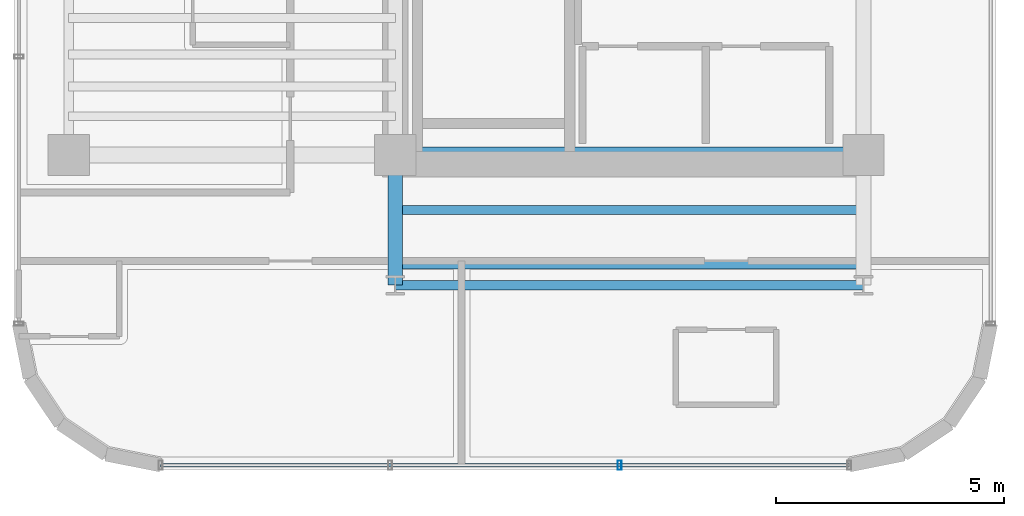
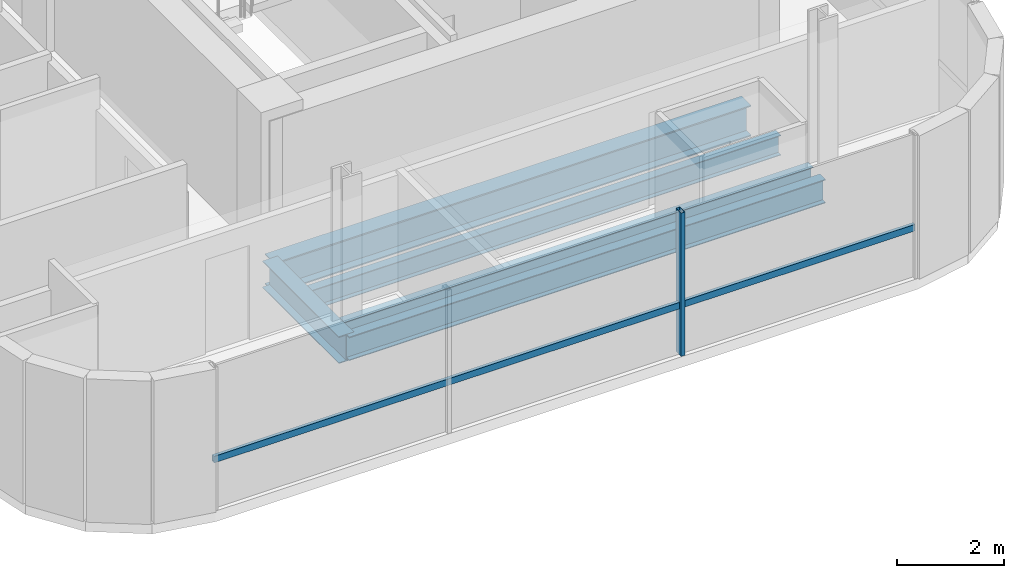
# One storey, part 3 of 22: 5 beams, 2 members, 1 element without a shape of its own.
"""IFC4 building model written with IfcOpenShell, lengths in metres."""

from ifc_helpers import new_model, si_unit, direction, frame, origin, origin_2d, place, context, subcontext, project, spatial, hollow_rectangle, i_section, extrude, source, transform, mapped, material, material_profile, profile_set, type_object, element, aggregate, save


model = new_model("IFC4")

# Units and contexts
model_context = context("Model", 3, precision=1e-05, world=origin(), true_north=direction((0.0, 1.0)))
body_context = subcontext(model_context, "Body", "Model", "MODEL_VIEW")
ifc_project = project(units=[si_unit("LENGTHUNIT", "METRE"), si_unit("AREAUNIT", "SQUARE_METRE"), si_unit("VOLUMEUNIT", "CUBIC_METRE"), si_unit("PLANEANGLEUNIT", "RADIAN"), si_unit("MASSUNIT", "GRAM", prefix="KILO")], contexts=[model_context])

# Site, building, storey
site_placement = place(None, origin())
site = spatial("IfcSite", under=ifc_project, at=site_placement, CompositionType="ELEMENT")
building_placement = place(site_placement, origin())
building = spatial("IfcBuilding", under=site, at=building_placement, Name="Valdorenza Pilgrim Sanctuary Tower", CompositionType="ELEMENT")
storey_placement = place(building_placement, frame((0.0, 0.0, 216.0)))
storey = spatial("IfcBuildingStorey", under=building, at=storey_placement, Name="L55", CompositionType="ELEMENT", Elevation=216.0)

# Beams
ifc_material_1 = material(Name="Steel ASTM A992 Grade 50", Category="steel")
ifc_material_profile_1 = material_profile(ifc_material_1, i_section(OverallWidth=0.323974609375, OverallDepth=0.611083984375, WebThickness=0.0126953125, FlangeThickness=0.01904296875, at=origin_2d()), Name="W24X104")
ifc_profile_set_1 = profile_set([ifc_material_profile_1], Name="Steel ASTM A992 Grade 50")
beam_type_1 = type_object("IfcBeamType", Name="STR-BM-GRD-W24B", PredefinedType="BEAM", material=ifc_profile_set_1)
shared_shape_1 = source(origin(), body_context, "Body", "SweptSolid", [
    extrude(i_section(OverallWidth=0.323974609375, OverallDepth=0.611083984375, WebThickness=0.0126953125, FlangeThickness=0.01904296875, at=origin_2d()), origin(), (0.0, 0.0, 1.0), 2.849853515625),
])
beam_1_placement = place(storey_placement, frame((-22.64990234375, -13.449951171875, -0.54541015625), z_axis=(0.0, 1.0, 0.0), x_axis=(-1.0, 0.0, 0.0)))
element("IfcBeam", 1, at=beam_1_placement, inside=storey, type_object=beam_type_1, Name="L55 Floor Girder WA-S-LW", PredefinedType="BEAM", context=body_context, shape_type="MappedRepresentation", body=[
    mapped(shared_shape_1, transform((0.0, 0.0, 0.0), x_axis=(1.0, 0.0, 0.0), y_axis=(0.0, 1.0, 0.0), z_axis=(0.0, 0.0, 1.0), scale=1.0)),
])
ifc_material_profile_2 = material_profile(ifc_material_1, i_section(OverallWidth=0.19091796875, OverallDepth=0.45703125, WebThickness=0.009033203125, FlangeThickness=0.014404296875, at=origin_2d()), Name="W18X50")
ifc_profile_set_2 = profile_set([ifc_material_profile_2], Name="Steel ASTM A992 Grade 50")
beam_type_2 = type_object("IfcBeamType", Name="STR-BM-JST-W18B", PredefinedType="JOIST", material=ifc_profile_set_2)
shared_shape_2 = source(origin(), body_context, "Body", "SweptSolid", [
    extrude(i_section(OverallWidth=0.19091796875, OverallDepth=0.45703125, WebThickness=0.009033203125, FlangeThickness=0.014404296875, at=origin_2d()), origin(), (0.0, 0.0, 1.0), 10.25),
])
for number, where, z_axis, x_axis, name in (
    (2, (-22.64990234375, -13.0, -0.468505859375), (1.0, 0.0, 0.0), (0.0, 1.0, 0.0), "L55 Composite Floor Joist JST-WAS-1"),
    (3, (-22.64990234375, -11.800048828125, -0.468505859375), (1.0, 0.0, 0.0), (0.0, 1.0, 0.0), "L55 Composite Floor Joist JST-WAS-2"),
):
    element("IfcBeam", number, at=place(storey_placement, frame(where, z_axis=z_axis, x_axis=x_axis)), inside=storey, type_object=beam_type_2, Name=name, PredefinedType="JOIST", context=body_context, shape_type="MappedRepresentation", body=[
        mapped(shared_shape_2, transform((0.0, 0.0, 0.0), x_axis=(1.0, 0.0, 0.0), y_axis=(0.0, 1.0, 0.0), z_axis=(0.0, 0.0, 1.0), scale=1.0)),
    ])
ifc_material_profile_3 = material_profile(ifc_material_1, i_section(OverallWidth=0.2109375, OverallDepth=0.5390625, WebThickness=0.01171875, FlangeThickness=0.018798828125, at=origin_2d()), Name="W21X73")
ifc_profile_set_3 = profile_set([ifc_material_profile_3], Name="Steel ASTM A992 Grade 50")
beam_type_3 = type_object("IfcBeamType", Name="STR-BM-SPN-W21B", PredefinedType="SPANDREL", material=ifc_profile_set_3)
shared_shape_3 = source(origin(), body_context, "Body", "SweptSolid", [
    extrude(i_section(OverallWidth=0.2109375, OverallDepth=0.5390625, WebThickness=0.01171875, FlangeThickness=0.018798828125, at=origin_2d()), origin(), (0.0, 0.0, 1.0), 10.25),
])
beam_2_placement = place(storey_placement, frame((-22.64990234375, -13.449951171875, -0.509521484375), z_axis=(1.0, 0.0, 0.0), x_axis=(0.0, 1.0, 0.0)))
element("IfcBeam", 4, at=beam_2_placement, inside=storey, type_object=beam_type_3, Name="L55 South Spandrel WA-S-TIE", PredefinedType="SPANDREL", context=body_context, shape_type="MappedRepresentation", body=[
    mapped(shared_shape_3, transform((0.0, 0.0, 0.0), x_axis=(1.0, 0.0, 0.0), y_axis=(0.0, 1.0, 0.0), z_axis=(0.0, 0.0, 1.0), scale=1.0)),
])
ifc_material_profile_4 = material_profile(ifc_material_1, i_section(OverallWidth=0.35595703125, OverallDepth=0.700927734375, WebThickness=0.016845703125, FlangeThickness=0.02734375, at=origin_2d()), Name="W27X161")
ifc_profile_set_4 = profile_set([ifc_material_profile_4], Name="Steel ASTM A992 Grade 50")
beam_type_4 = type_object("IfcBeamType", Name="STR-BM-GRD-W27", PredefinedType="BEAM", material=ifc_profile_set_4)
shared_shape_4 = source(origin(), body_context, "Body", "SweptSolid", [
    extrude(i_section(OverallWidth=0.35595703125, OverallDepth=0.700927734375, WebThickness=0.016845703125, FlangeThickness=0.02734375, at=origin_2d()), origin(), (0.0, 0.0, 1.0), 10.25),
])
beam_3_placement = place(storey_placement, frame((-22.64990234375, -10.60009765625, -0.590576171875), z_axis=(1.0, 0.0, 0.0), x_axis=(0.0, 1.0, 0.0)))
element("IfcBeam", 5, at=beam_3_placement, inside=storey, type_object=beam_type_4, Name="L55 Floor Girder CA-XC-S1", PredefinedType="BEAM", context=body_context, shape_type="MappedRepresentation", body=[
    mapped(shared_shape_4, transform((0.0, 0.0, 0.0), x_axis=(1.0, 0.0, 0.0), y_axis=(0.0, 1.0, 0.0), z_axis=(0.0, 0.0, 1.0), scale=1.0)),
])

# Curtain wall, members
ifc_material_2 = material(Name="Curtain-wall IGU glazing", Category="glass")
curtain_wall_type = type_object("IfcCurtainWallType", Name="CW-SYS-02", PredefinedType="NOTDEFINED", material=ifc_material_2)
curtain_wall_placement = place(storey_placement, origin())
curtain_wall = element("IfcCurtainWall", 6, at=curtain_wall_placement, inside=storey, type_object=curtain_wall_type, Name="L55 Curtain Wall CW-L55-1-26", PredefinedType="NOTDEFINED")
ifc_material_3 = material(Name="Anodised aluminium AW-6060", Category="aluminium")
ifc_material_profile_5 = material_profile(ifc_material_3, hollow_rectangle(XDim=0.074951171875, YDim=0.14990234375, WallThickness=0.00390625, at=origin_2d()), Name="ALU-T 150x75x4")
ifc_profile_set_5 = profile_set([ifc_material_profile_5], Name="Anodised aluminium AW-6060")
member_type_1 = type_object("IfcMemberType", Name="CW-TRN-02", PredefinedType="USERDEFINED", material=ifc_profile_set_5)
shared_shape_5 = source(origin(), body_context, "Body", "SweptSolid", [
    extrude(hollow_rectangle(XDim=0.074951171875, YDim=0.14990234375, WallThickness=0.00390625, at=origin_2d()), origin(), (0.0, 0.0, 1.0), 15.07861328125),
])
member_1_placement = place(storey_placement, frame((-12.710693359375, -17.389892578125, 1.1201171875), z_axis=(-1.0, 0.0, 0.0), x_axis=(0.0, -1.0, 0.0)))
member_1 = element("IfcMember", 7, at=member_1_placement, type_object=member_type_1, Name="CW-L55-1-26 Transom 1", ObjectType="TRANSOM", PredefinedType="USERDEFINED", context=body_context, shape_type="MappedRepresentation", body=[
    mapped(shared_shape_5, transform((0.0, 0.0, 0.0), x_axis=(1.0, 0.0, 0.0), y_axis=(0.0, 1.0, 0.0), z_axis=(0.0, 0.0, 1.0), scale=1.0)),
])
ifc_material_profile_6 = material_profile(ifc_material_3, hollow_rectangle(XDim=0.0849609375, YDim=0.199951171875, WallThickness=0.0048828125, at=origin_2d()), Name="ALU-M 200x85x5")
ifc_profile_set_6 = profile_set([ifc_material_profile_6], Name="Anodised aluminium AW-6060")
member_type_2 = type_object("IfcMemberType", Name="CW-MUL-02", PredefinedType="MULLION", material=ifc_profile_set_6)
shared_shape_6 = source(origin(), body_context, "Body", "SweptSolid", [
    extrude(hollow_rectangle(XDim=0.0849609375, YDim=0.199951171875, WallThickness=0.0048828125, at=origin_2d()), origin(), (0.0, 0.0, 1.0), 3.260009765625),
])
member_2_placement = place(storey_placement, frame((-17.73681640625, -17.389892578125, 0.0), z_axis=(0.0, 0.0, 1.0), x_axis=(-1.0, 0.0, 0.0)))
member_2 = element("IfcMember", 8, at=member_2_placement, type_object=member_type_2, Name="CW-L55-1-26 Mullion 2", PredefinedType="MULLION", context=body_context, shape_type="MappedRepresentation", body=[
    mapped(shared_shape_6, transform((0.0, 0.0, 0.0), x_axis=(1.0, 0.0, 0.0), y_axis=(0.0, 1.0, 0.0), z_axis=(0.0, 0.0, 1.0), scale=1.0)),
])
aggregate(curtain_wall, [member_2, member_1])

save(model, "model.ifc")
